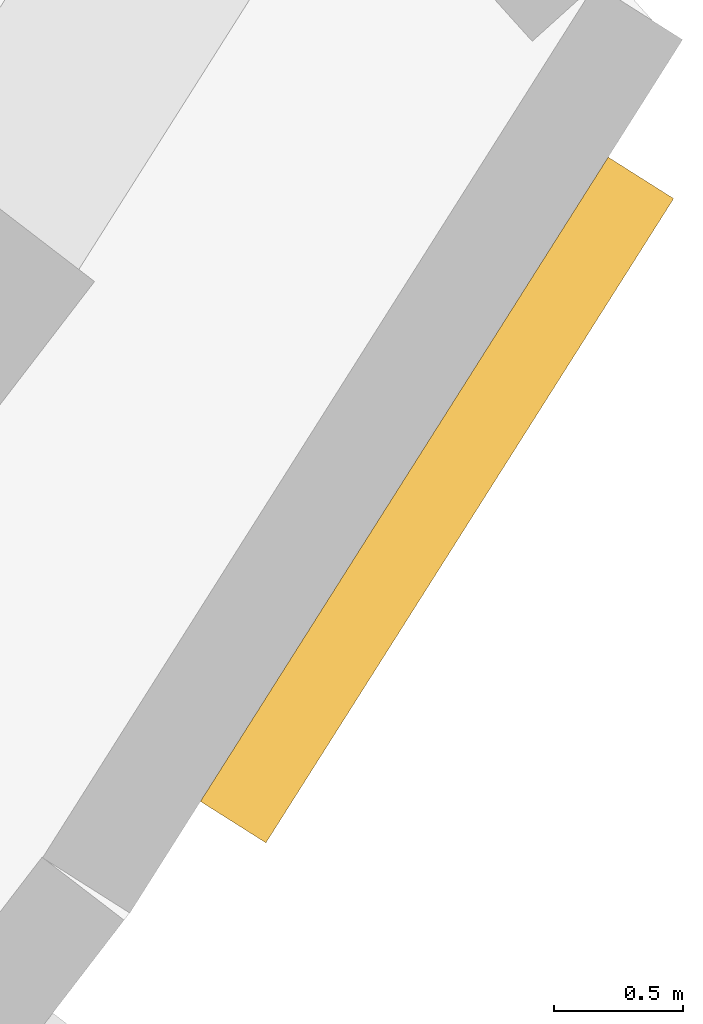
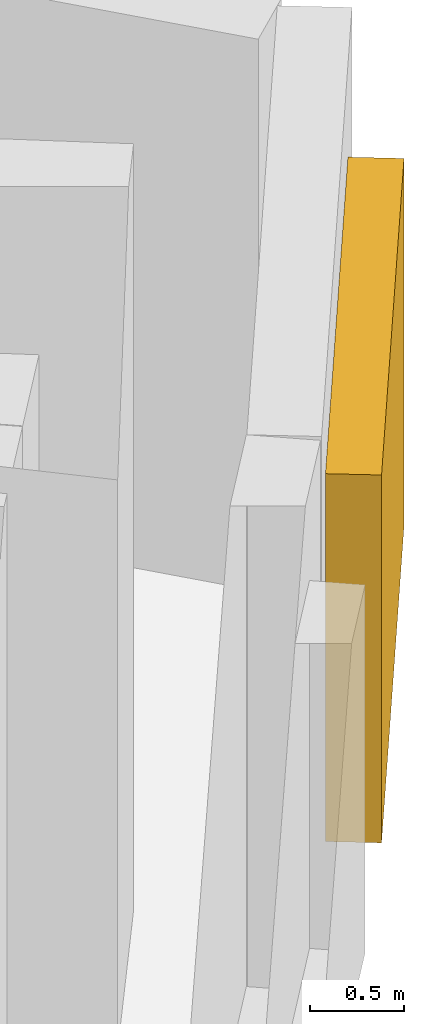
# One storey, part 25 of 25: 1 shading device.
"""IFC4 building model written with IfcOpenShell, lengths in metres."""

import ifcopenshell
import ifcopenshell.guid

model = None  # the IFC model being written
_history = None  # IfcOwnerHistory: only IFC2X3 demands one
_inside = {}  # id of a spatial element -> (the spatial element, [elements in it])
_under = {}  # id of a project, library or spatial element -> (it, [spatial elements below it])
_declared = {}  # id of a project -> (the project, [libraries it declares])
_typed = {}  # id of a type object -> (the type object, [elements of that type])
_made_of = {}  # id of a material, layer set ... -> (it, [elements and type objects made of it])


def new_model(schema):
    """Start an empty IFC model of exactly this schema.

    Asked for "IFC4X3", IfcOpenShell would pick the latest addendum, in which some entities
    have other attributes; the version numbers below select the first issue.
    IFC2X3 requires an IfcOwnerHistory on every rooted entity: one is made here for all.
    """
    global model, _history
    if schema == "IFC4X3":
        model = ifcopenshell.file(schema_version=(4, 3, 0, 0))
    else:
        model = ifcopenshell.file(schema=schema)
    _inside.clear()
    _under.clear()
    _declared.clear()
    _typed.clear()
    _made_of.clear()
    _history = None
    if model.schema == "IFC2X3":
        org = make("IfcOrganization", Name="unknown")
        user = make(
            "IfcPersonAndOrganization",
            ThePerson=make("IfcPerson", FamilyName="unknown"),
            TheOrganization=org,
        )
        app = make(
            "IfcApplication",
            ApplicationDeveloper=org,
            Version="unknown",
            ApplicationFullName="unknown",
            ApplicationIdentifier="unknown",
        )
        _history = make(
            "IfcOwnerHistory",
            OwningUser=user,
            OwningApplication=app,
            ChangeAction="ADDED",
            CreationDate=0,
        )
    return model


def make(cls, **values):
    """One entity of the class cls with the attributes given. An attribute that is None is left unset."""
    return model.create_entity(
        cls, **{name: value for name, value in values.items() if value is not None}
    )


def rooted(cls, **values):
    """An entity with a GlobalId (a new one), such as an element, a storey or a relation."""
    return make(cls, GlobalId=ifcopenshell.guid.new(), OwnerHistory=_history, **values)


def si_unit(unit_type, name, prefix=None):
    """IfcSIUnit, for example si_unit("LENGTHUNIT", "METRE", prefix="MILLI")."""
    return make("IfcSIUnit", UnitType=unit_type, Prefix=prefix, Name=name)


def assignment(units):
    """IfcUnitAssignment: the units of a project."""
    return None if units is None else make("IfcUnitAssignment", Units=units)


def point(xyz):
    """IfcCartesianPoint."""
    return None if xyz is None else make("IfcCartesianPoint", Coordinates=xyz)


def direction(xyz):
    """IfcDirection."""
    return None if xyz is None else make("IfcDirection", DirectionRatios=xyz)


def frame(location, z_axis=None, x_axis=None):
    """IfcAxis2Placement3D, a coordinate frame: its origin and axes. An axis left out is left unset."""
    return make(
        "IfcAxis2Placement3D",
        Location=point(location),
        Axis=direction(z_axis),
        RefDirection=direction(x_axis),
    )


def frame_2d(location, x_axis=None):
    """IfcAxis2Placement2D, a coordinate frame in the plane: its origin and x axis."""
    return make(
        "IfcAxis2Placement2D", Location=point(location), RefDirection=direction(x_axis)
    )


def origin():
    """The frame at (0, 0, 0) with its axes left unset."""
    return frame((0.0, 0.0, 0.0))


def origin_2d():
    """The frame at (0, 0) in the plane with its x axis left unset."""
    return frame_2d((0.0, 0.0))


def place(relative_to, where):
    """IfcLocalPlacement: puts the frame where relative to a parent placement (None: the world)."""
    return make(
        "IfcLocalPlacement", PlacementRelTo=relative_to, RelativePlacement=where
    )


def context(
    kind, dimensions, precision=None, world=None, true_north=None, identifier=None
):
    """IfcGeometricRepresentationContext, for example the 3D "Model" context."""
    return make(
        "IfcGeometricRepresentationContext",
        ContextIdentifier=identifier,
        ContextType=kind,
        CoordinateSpaceDimension=dimensions,
        Precision=precision,
        WorldCoordinateSystem=world,
        TrueNorth=true_north,
    )


def subcontext(parent, identifier, kind, view, scale=None):
    """IfcGeometricRepresentationSubContext, for example "Body" below "Model"."""
    return make(
        "IfcGeometricRepresentationSubContext",
        ContextIdentifier=identifier,
        ContextType=kind,
        ParentContext=parent,
        TargetScale=scale,
        TargetView=view,
    )


def project(units=None, contexts=None):
    """IfcProject with its units and contexts."""
    return rooted(
        "IfcProject",
        Name="project",
        RepresentationContexts=contexts,
        UnitsInContext=assignment(units),
    )


def spatial(cls, under=None, at=None, **own):
    """A site, building, storey or space (cls), placed at a placement, below another one or the project."""
    s = rooted(cls, ObjectPlacement=at, **own)
    if under is not None:
        _under.setdefault(under.id(), (under, []))[1].append(s)
    return s


def profile(cls, at=None, kind="AREA", **sizes):
    """A parametric profile (cls). Its sizes go by their IFC names, for example OverallWidth=200.0."""
    return make(cls, ProfileType=kind, Position=at, **sizes)


def rectangle(**sizes):
    """IfcRectangleProfileDef."""
    return profile("IfcRectangleProfileDef", **sizes)


def extrude(swept, where, along, depth):
    """IfcExtrudedAreaSolid: the profile swept, set in the frame where, extruded along a direction by depth."""
    return make(
        "IfcExtrudedAreaSolid",
        SweptArea=swept,
        Position=where,
        ExtrudedDirection=direction(along),
        Depth=depth,
    )


def shape(context_of_items, identifier, shape_type, items):
    """IfcShapeRepresentation: the items that make up one representation, for example the "Body"."""
    return make(
        "IfcShapeRepresentation",
        ContextOfItems=context_of_items,
        RepresentationIdentifier=identifier,
        RepresentationType=shape_type,
        Items=items,
    )


def material(Name=None, Category=None):
    """IfcMaterial."""
    return make("IfcMaterial", Name=Name, Category=Category)


def made_of(thing, what):
    """Note that an element or type object is made of a material, layer set ...; save() writes the relation."""
    if what is not None:
        _made_of.setdefault(what.id(), (what, []))[1].append(thing)
    return thing


def type_object(cls, material=None, **own):
    """A type object (cls), such as IfcWallType, which elements share."""
    return made_of(rooted(cls, **own), material)


def element(
    cls,
    number,
    at=None,
    inside=None,
    cuts=None,
    type_object=None,
    material=None,
    context=None,
    identifier="Body",
    shape_type=None,
    held_by="IfcProductDefinitionShape",
    body=None,
    shapes=None,
    **own,
):
    """One element of the class cls, such as IfcWall. Its Tag is "e" and its number.

    at: its placement. inside: the storey or other place that contains it. cuts: it is an
    opening in that element (IfcRelVoidsElement). A single representation is given by context,
    identifier, shape_type and body (its items); several are given by shapes. held_by: the class
    of the entity that holds the representations. save() writes the other relations.
    """
    e = rooted(cls, Tag="e%d" % number, ObjectPlacement=at, **own)
    if body is not None:
        shapes = [shape(context, identifier, shape_type, body)]
    if shapes is not None:
        e.Representation = make(held_by, Representations=shapes)
    if inside is not None:
        _inside.setdefault(inside.id(), (inside, []))[1].append(e)
    if cuts is not None:
        rooted(
            "IfcRelVoidsElement", RelatingBuildingElement=cuts, RelatedOpeningElement=e
        )
    if type_object is not None:
        _typed.setdefault(type_object.id(), (type_object, []))[1].append(e)
    return made_of(e, material)


def aggregate(whole, parts):
    """IfcRelAggregates: a whole, such as a stair, and the parts it consists of."""
    return rooted("IfcRelAggregates", RelatingObject=whole, RelatedObjects=parts)


def save(model, path):
    """Write the relations noted so far, then the file.

    IfcRelAggregates (storeys below a building ...), IfcRelContainedInSpatialStructure (elements
    in a storey), IfcRelDefinesByType, IfcRelAssociatesMaterial and IfcRelDeclares: one each for
    every whole, place, type object, material and project.
    """
    for whole, parts in _under.values():
        aggregate(whole, parts)
    for where, things in _inside.values():
        rooted(
            "IfcRelContainedInSpatialStructure",
            RelatedElements=things,
            RelatingStructure=where,
        )
    for kind, things in _typed.values():
        rooted("IfcRelDefinesByType", RelatedObjects=things, RelatingType=kind)
    for what, things in _made_of.values():
        rooted("IfcRelAssociatesMaterial", RelatedObjects=things, RelatingMaterial=what)
    for by, libraries in _declared.values():
        rooted("IfcRelDeclares", RelatingContext=by, RelatedDefinitions=libraries)
    model.write(path)


model = new_model("IFC4")

# Units and contexts
model_context = context("Model", 3, precision=1e-05, world=origin(), true_north=direction((0.0, 1.0)))
body_context = subcontext(model_context, "Body", "Model", "MODEL_VIEW")
ifc_project = project(units=[si_unit("LENGTHUNIT", "METRE"), si_unit("AREAUNIT", "SQUARE_METRE"), si_unit("VOLUMEUNIT", "CUBIC_METRE"), si_unit("PLANEANGLEUNIT", "RADIAN"), si_unit("MASSUNIT", "GRAM", prefix="KILO")], contexts=[model_context])

# Site, building, storey
site_placement = place(None, origin())
site = spatial("IfcSite", under=ifc_project, at=site_placement, CompositionType="ELEMENT")
building_placement = place(site_placement, origin())
building = spatial("IfcBuilding", under=site, at=building_placement, Name="Qamariyya Broadcast Tower", CompositionType="ELEMENT")
storey_placement = place(building_placement, frame((0.0, 0.0, 89.89990234375)))
storey = spatial("IfcBuildingStorey", under=building, at=storey_placement, Name="L19", CompositionType="ELEMENT", Elevation=89.89990234375)

# Shading device
ifc_material = material(Name="Glazed terracotta", Category="masonry")
shading_device_type = type_object("IfcShadingDeviceType", Name="Terracotta louvre bank", PredefinedType="USERDEFINED", material=ifc_material)
shading_device_placement = place(storey_placement, frame((67.409912109375, -42.66162109375, 0.60009765625), z_axis=(0.0, 0.0, 1.0), x_axis=(0.534772432038, 0.844996121845, 0.0)))
element("IfcShadingDevice", 1, at=shading_device_placement, inside=storey, type_object=shading_device_type, Name="e-lv-L19-16", ObjectType="LOUVRE", PredefinedType="USERDEFINED", context=body_context, shape_type="SweptSolid", body=[
    extrude(rectangle(XDim=2.951904296875, YDim=0.300048828125, at=origin_2d()), origin(), (0.0, 0.0, 1.0), 2.39990234375),
])

save(model, "model.ifc")
